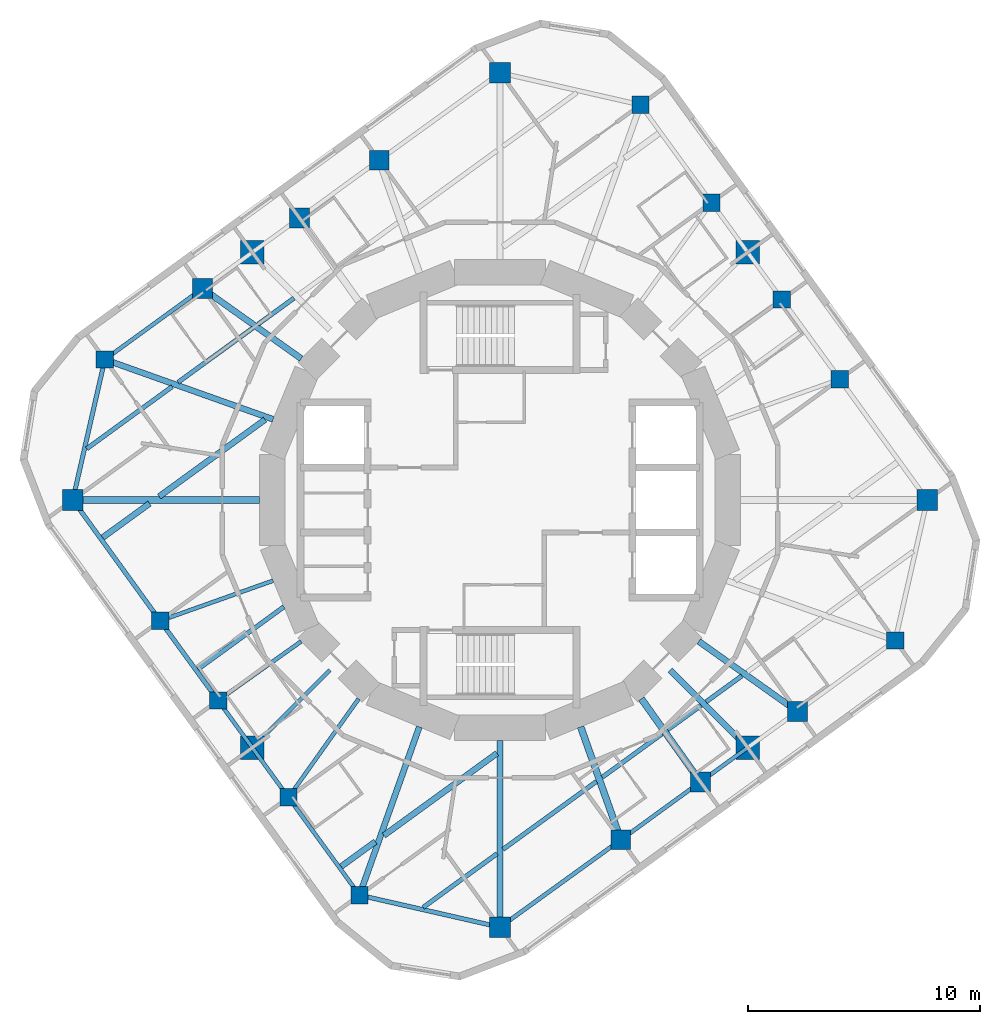
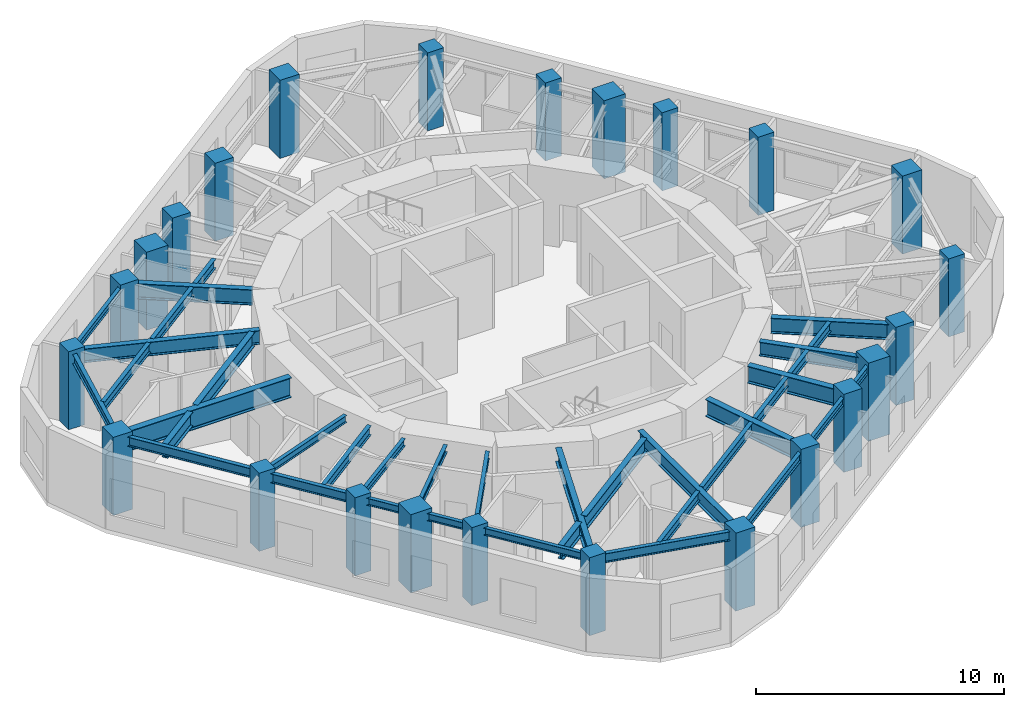
# One storey, part 1 of 9: 37 beams, 24 columns.
"""IFC4 building model written with IfcOpenShell, lengths in metres."""

from ifc_helpers import new_model, si_unit, direction, frame, origin, origin_2d, place, context, subcontext, project, spatial, rectangle, i_section, extrude, material, material_profile, profile_set, type_object, element, save


model = new_model("IFC4")

# Units and contexts
model_context = context("Model", 3, precision=1e-05, world=origin(), true_north=direction((0.0, 1.0)))
body_context = subcontext(model_context, "Body", "Model", "MODEL_VIEW")
ifc_project = project(units=[si_unit("LENGTHUNIT", "METRE"), si_unit("AREAUNIT", "SQUARE_METRE"), si_unit("VOLUMEUNIT", "CUBIC_METRE"), si_unit("PLANEANGLEUNIT", "RADIAN"), si_unit("MASSUNIT", "GRAM", prefix="KILO")], contexts=[model_context])

# Site, building, storey
site_placement = place(None, origin())
site = spatial("IfcSite", under=ifc_project, at=site_placement, CompositionType="ELEMENT")
building_placement = place(site_placement, origin())
building = spatial("IfcBuilding", under=site, at=building_placement, Name="Nakasero Lantern House", CompositionType="ELEMENT")
storey_placement = place(building_placement, frame((0.0, 0.0, 267.60009765625)))
storey = spatial("IfcBuildingStorey", under=building, at=storey_placement, Name="L65", CompositionType="ELEMENT", Elevation=267.60009765625)

# Columns
ifc_material_1 = material(Name="Concrete C40/50", Category="concrete")
ifc_material_profile_1 = material_profile(ifc_material_1, rectangle(XDim=1.0, YDim=1.0, at=origin_2d()), Name="RC 1000x1000")
ifc_profile_set_1 = profile_set([ifc_material_profile_1], Name="Concrete C40/50")
column_type_1 = type_object("IfcColumnType", Name="Mega column RC 1000x1000 C40/50", PredefinedType="COLUMN", material=ifc_profile_set_1)
for number, where, z_axis, x_axis, name in (
    (1, (10.667236328125, 10.667236328125, 0.0), (0.0, 0.0, 1.0), (1.0, 0.0, 0.0), "Column B7-C06 L65"),
    (2, (-10.667236328125, 10.667236328125, 0.0), (0.0, 0.0, 1.0), (1.0, 0.0, 0.0), "Column B7-C12 L65"),
    (3, (-10.667236328125, -10.667236328125, 0.0), (0.0, 0.0, 1.0), (1.0, 0.0, 0.0), "Column B7-C18 L65"),
    (4, (10.667236328125, -10.667236328125, 0.0), (0.0, 0.0, 1.0), (1.0, 0.0, 0.0), "Column B7-C24 L65"),
):
    element("IfcColumn", number, at=place(storey_placement, frame(where, z_axis=z_axis, x_axis=x_axis)), inside=storey, type_object=column_type_1, Name=name, PredefinedType="COLUMN", context=body_context, shape_type="SweptSolid", body=[
        extrude(rectangle(XDim=1.0, YDim=1.0, at=origin_2d()), origin(), (0.0, 0.0, 1.0), 3.849853515625),
    ])
ifc_material_2 = material(Name="Concrete C40/50", Category="concrete")
ifc_material_profile_2 = material_profile(ifc_material_2, rectangle(XDim=0.75, YDim=0.75, at=origin_2d()), Name="RC 750x750")
ifc_profile_set_2 = profile_set([ifc_material_profile_2], Name="Concrete C40/50")
column_type_2 = type_object("IfcColumnType", Name="Ring column RC 750x750 C40/50", PredefinedType="COLUMN", material=ifc_profile_set_2)
for number, where, z_axis, x_axis, name in (
    (5, (17.02001953125, -6.051513671875, 0.0), (0.0, 0.0, 1.0), (1.0, 0.0, 0.0), "Column B7-C02 L65"),
    (6, (14.636474609375, 5.2041015625, 0.0), (0.0, 0.0, 1.0), (1.0, 0.0, 0.0), "Column B7-C04 L65"),
    (7, (12.1435546875, 8.63525390625, 0.0), (0.0, 0.0, 1.0), (1.0, 0.0, 0.0), "Column B7-C05 L65"),
    (8, (9.10986328125, 12.810791015625, 0.0), (0.0, 0.0, 1.0), (1.0, 0.0, 0.0), "Column B7-C07 L65"),
    (9, (6.051513671875, 17.02001953125, 0.0), (0.0, 0.0, 1.0), (1.0, 0.0, 0.0), "Column B7-C08 L65"),
    (10, (-17.02001953125, 6.051513671875, 0.0), (0.0, 0.0, 1.0), (1.0, 0.0, 0.0), "Column B7-C14 L65"),
    (11, (-14.636474609375, -5.2041015625, 0.0), (0.0, 0.0, 1.0), (1.0, 0.0, 0.0), "Column B7-C16 L65"),
    (12, (-12.1435546875, -8.63525390625, 0.0), (0.0, 0.0, 1.0), (1.0, 0.0, 0.0), "Column B7-C17 L65"),
    (13, (-9.10986328125, -12.810791015625, 0.0), (0.0, 0.0, 1.0), (1.0, 0.0, 0.0), "Column B7-C19 L65"),
    (14, (-6.051513671875, -17.02001953125, 0.0), (0.0, 0.0, 1.0), (1.0, 0.0, 0.0), "Column B7-C20 L65"),
):
    element("IfcColumn", number, at=place(storey_placement, frame(where, z_axis=z_axis, x_axis=x_axis)), inside=storey, type_object=column_type_2, Name=name, PredefinedType="COLUMN", context=body_context, shape_type="SweptSolid", body=[
        extrude(rectangle(XDim=0.75, YDim=0.75, at=origin_2d()), origin(), (0.0, 0.0, 1.0), 3.849853515625),
    ])
ifc_material_3 = material(Name="Concrete C40/50", Category="concrete")
ifc_material_profile_3 = material_profile(ifc_material_3, rectangle(XDim=0.85009765625, YDim=0.85009765625, at=origin_2d()), Name="RC 850x850")
ifc_profile_set_3 = profile_set([ifc_material_profile_3], Name="Concrete C40/50")
column_type_3 = type_object("IfcColumnType", Name="Ring column RC 850x850 C40/50", PredefinedType="COLUMN", material=ifc_profile_set_3)
for number, where, z_axis, x_axis, name in (
    (15, (12.810791015625, -9.10986328125, 0.0), (0.0, 0.0, 1.0), (1.0, 0.0, 0.0), "Column B7-C01 L65"),
    (16, (-5.2041015625, 14.636474609375, 0.0), (0.0, 0.0, 1.0), (1.0, 0.0, 0.0), "Column B7-C10 L65"),
    (17, (-8.63525390625, 12.1435546875, 0.0), (0.0, 0.0, 1.0), (1.0, 0.0, 0.0), "Column B7-C11 L65"),
    (18, (-12.810791015625, 9.10986328125, 0.0), (0.0, 0.0, 1.0), (1.0, 0.0, 0.0), "Column B7-C13 L65"),
    (19, (5.2041015625, -14.636474609375, 0.0), (0.0, 0.0, 1.0), (1.0, 0.0, 0.0), "Column B7-C22 L65"),
    (20, (8.63525390625, -12.1435546875, 0.0), (0.0, 0.0, 1.0), (1.0, 0.0, 0.0), "Column B7-C23 L65"),
):
    element("IfcColumn", number, at=place(storey_placement, frame(where, z_axis=z_axis, x_axis=x_axis)), inside=storey, type_object=column_type_3, Name=name, PredefinedType="COLUMN", context=body_context, shape_type="SweptSolid", body=[
        extrude(rectangle(XDim=0.85009765625, YDim=0.85009765625, at=origin_2d()), origin(), (0.0, 0.0, 1.0), 3.849853515625),
    ])
ifc_material_4 = material(Name="Concrete C40/50", Category="concrete")
ifc_material_profile_4 = material_profile(ifc_material_4, rectangle(XDim=0.89990234375, YDim=0.89990234375, at=origin_2d()), Name="RC 900x900")
ifc_profile_set_4 = profile_set([ifc_material_profile_4], Name="Concrete C40/50")
column_type_4 = type_object("IfcColumnType", Name="Ring column RC 900x900 C40/50", PredefinedType="COLUMN", material=ifc_profile_set_4)
for number, where, z_axis, x_axis, name in (
    (21, (18.39990234375, 0.0, 0.0), (0.0, 0.0, 1.0), (1.0, 0.0, 0.0), "Column B7-C03 L65"),
    (22, (0.0, 18.39990234375, 0.0), (0.0, 0.0, 1.0), (1.0, 0.0, 0.0), "Column B7-C09 L65"),
    (23, (-18.39990234375, 0.0, 0.0), (0.0, 0.0, 1.0), (1.0, 0.0, 0.0), "Column B7-C15 L65"),
    (24, (0.0, -18.39990234375, 0.0), (0.0, 0.0, 1.0), (1.0, 0.0, 0.0), "Column B7-C21 L65"),
):
    element("IfcColumn", number, at=place(storey_placement, frame(where, z_axis=z_axis, x_axis=x_axis)), inside=storey, type_object=column_type_4, Name=name, PredefinedType="COLUMN", context=body_context, shape_type="SweptSolid", body=[
        extrude(rectangle(XDim=0.89990234375, YDim=0.89990234375, at=origin_2d()), origin(), (0.0, 0.0, 1.0), 3.849853515625),
    ])

# Beams
ifc_material_5 = material(Name="Steel S355", Category="steel")
ifc_material_profile_5 = material_profile(ifc_material_5, i_section(OverallWidth=0.19140625, OverallDepth=0.4599609375, WebThickness=0.010009765625, FlangeThickness=0.01611328125, FilletRadius=0.01025390625, at=origin_2d()), Name="UB 457x191x82")
ifc_profile_set_5 = profile_set([ifc_material_profile_5], Name="Steel S355")
beam_type_1 = type_object("IfcBeamType", Name="Infill beam UB 457x191x82", PredefinedType="JOIST", material=ifc_profile_set_5)
beam_1_placement = place(storey_placement, frame((-3.311279296875, -17.547607421875, 3.419921875), z_axis=(0.809028442836, 0.587769494515, 0.0), x_axis=(-0.587769494515, 0.809028442836, 0.0)))
element("IfcBeam", 25, at=beam_1_placement, inside=storey, type_object=beam_type_1, Name="Infill beam L66 03.1", PredefinedType="JOIST", context=body_context, shape_type="SweptSolid", body=[
    extrude(i_section(OverallWidth=0.19140625, OverallDepth=0.4599609375, WebThickness=0.010009765625, FlangeThickness=0.01611328125, FilletRadius=0.01025390625, at=origin_2d()), origin(), (0.0, 0.0, 1.0), 3.934814453125),
])
beam_2_placement = place(storey_placement, frame((0.1279296875, -15.048828125, 3.419921875), z_axis=(0.809018056479, 0.587783790428, 0.0), x_axis=(-0.587783790428, 0.809018056479, 0.0)))
element("IfcBeam", 26, at=beam_2_placement, inside=storey, type_object=beam_type_1, Name="Infill beam L66 03.2", PredefinedType="JOIST", context=body_context, shape_type="SweptSolid", body=[
    extrude(i_section(OverallWidth=0.19140625, OverallDepth=0.4599609375, WebThickness=0.010009765625, FlangeThickness=0.01611328125, FilletRadius=0.01025390625, at=origin_2d()), origin(), (0.0, 0.0, 1.0), 4.97802734375),
])
beam_3_placement = place(storey_placement, frame((4.40185546875, -11.943603515625, 3.419921875), z_axis=(0.809014147131, 0.587789171167, 0.0), x_axis=(-0.587789171167, 0.809014147131, 0.0)))
element("IfcBeam", 27, at=beam_3_placement, inside=storey, type_object=beam_type_1, Name="Infill beam L66 03.3", PredefinedType="JOIST", context=body_context, shape_type="SweptSolid", body=[
    extrude(i_section(OverallWidth=0.19140625, OverallDepth=0.4599609375, WebThickness=0.010009765625, FlangeThickness=0.01611328125, FilletRadius=0.01025390625, at=origin_2d()), origin(), (0.0, 0.0, 1.0), 3.188232421875),
])
beam_4_placement = place(storey_placement, frame((7.2177734375, -9.897705078125, 3.419921875), z_axis=(0.809060510352, 0.587725353025, 0.0), x_axis=(-0.587725353025, 0.809060510352, 0.0)))
element("IfcBeam", 28, at=beam_4_placement, inside=storey, type_object=beam_type_1, Name="Infill beam L66 03.4", PredefinedType="JOIST", context=body_context, shape_type="SweptSolid", body=[
    extrude(i_section(OverallWidth=0.19140625, OverallDepth=0.4599609375, WebThickness=0.010009765625, FlangeThickness=0.01611328125, FilletRadius=0.01025390625, at=origin_2d()), origin(), (0.0, 0.0, 1.0), 1.7890625),
])
beam_5_placement = place(storey_placement, frame((8.874755859375, -8.69384765625, 3.419921875), z_axis=(0.809012638294, 0.587791247877, 0.0), x_axis=(-0.587791247877, 0.809012638294, 0.0)))
element("IfcBeam", 29, at=beam_5_placement, inside=storey, type_object=beam_type_1, Name="Infill beam L66 03.5", PredefinedType="JOIST", context=body_context, shape_type="SweptSolid", body=[
    extrude(i_section(OverallWidth=0.19140625, OverallDepth=0.4599609375, WebThickness=0.010009765625, FlangeThickness=0.01611328125, FilletRadius=0.01025390625, at=origin_2d()), origin(), (0.0, 0.0, 1.0), 1.908203125),
])
beam_6_placement = place(storey_placement, frame((-13.006103515625, -7.286376953125, 3.419921875), z_axis=(0.809017640959, 0.587784362344, 0.0), x_axis=(-0.587784362344, 0.809017640959, 0.0)))
element("IfcBeam", 30, at=beam_6_placement, inside=storey, type_object=beam_type_1, Name="Infill beam L66 07.1", PredefinedType="JOIST", context=body_context, shape_type="SweptSolid", body=[
    extrude(i_section(OverallWidth=0.19140625, OverallDepth=0.4599609375, WebThickness=0.010009765625, FlangeThickness=0.01611328125, FilletRadius=0.01025390625, at=origin_2d()), origin(), (0.0, 0.0, 1.0), 4.572998046875),
])
beam_7_placement = place(storey_placement, frame((-17.798583984375, 2.21044921875, 3.419921875), z_axis=(0.80901210161, 0.587791986546, 0.0), x_axis=(-0.587791986546, 0.80901210161, 0.0)))
element("IfcBeam", 31, at=beam_7_placement, inside=storey, type_object=beam_type_1, Name="Infill beam L66 10.1", PredefinedType="JOIST", context=body_context, shape_type="SweptSolid", body=[
    extrude(i_section(OverallWidth=0.19140625, OverallDepth=0.4599609375, WebThickness=0.010009765625, FlangeThickness=0.01611328125, FilletRadius=0.01025390625, at=origin_2d()), origin(), (0.0, 0.0, 1.0), 4.55029296875),
])
beam_8_placement = place(storey_placement, frame((-13.86865234375, 5.065673828125, 3.419921875), z_axis=(0.809006350712, 0.587799901759, 0.0), x_axis=(-0.587799901759, 0.809006350712, 0.0)))
element("IfcBeam", 32, at=beam_8_placement, inside=storey, type_object=beam_type_1, Name="Infill beam L66 10.2", PredefinedType="JOIST", context=body_context, shape_type="SweptSolid", body=[
    extrude(i_section(OverallWidth=0.19140625, OverallDepth=0.4599609375, WebThickness=0.010009765625, FlangeThickness=0.01611328125, FilletRadius=0.01025390625, at=origin_2d()), origin(), (0.0, 0.0, 1.0), 3.983154296875),
])
beam_9_placement = place(storey_placement, frame((-10.41845703125, 7.572265625, 3.419921875), z_axis=(0.809012638294, 0.587791247877, 0.0), x_axis=(-0.587791247877, 0.809012638294, 0.0)))
element("IfcBeam", 33, at=beam_9_placement, inside=storey, type_object=beam_type_1, Name="Infill beam L66 10.3", PredefinedType="JOIST", context=body_context, shape_type="SweptSolid", body=[
    extrude(i_section(OverallWidth=0.19140625, OverallDepth=0.4599609375, WebThickness=0.010009765625, FlangeThickness=0.01611328125, FilletRadius=0.01025390625, at=origin_2d()), origin(), (0.0, 0.0, 1.0), 1.908203125),
])
ifc_material_6 = material(Name="Steel S355", Category="steel")
ifc_material_profile_6 = material_profile(ifc_material_6, i_section(OverallWidth=0.255859375, OverallDepth=0.69287109375, WebThickness=0.014404296875, FlangeThickness=0.023681640625, FilletRadius=0.01513671875, at=origin_2d()), Name="UB 686x254x170")
ifc_profile_set_6 = profile_set([ifc_material_profile_6], Name="Steel S355")
beam_type_2 = type_object("IfcBeamType", Name="Infill beam UB 686x254x170", PredefinedType="JOIST", material=ifc_profile_set_6)
beam_10_placement = place(storey_placement, frame((-6.841796875, -15.786376953125, 3.303466796875), z_axis=(0.809025740158, 0.587773214566, 0.0), x_axis=(-0.587773214566, 0.809025740158, 0.0)))
element("IfcBeam", 34, at=beam_10_placement, inside=storey, type_object=beam_type_2, Name="Infill beam L66 04.1", PredefinedType="JOIST", context=body_context, shape_type="SweptSolid", body=[
    extrude(i_section(OverallWidth=0.255859375, OverallDepth=0.69287109375, WebThickness=0.014404296875, FlangeThickness=0.023681640625, FilletRadius=0.01513671875, at=origin_2d()), origin(), (0.0, 0.0, 1.0), 1.82177734375),
])
beam_11_placement = place(storey_placement, frame((-5.001953125, -14.44970703125, 3.303466796875), z_axis=(0.809011117524, 0.587793340998, 0.0), x_axis=(-0.587793340998, 0.809011117524, 0.0)))
element("IfcBeam", 35, at=beam_11_placement, inside=storey, type_object=beam_type_2, Name="Infill beam L66 04.2", PredefinedType="JOIST", context=body_context, shape_type="SweptSolid", body=[
    extrude(i_section(OverallWidth=0.255859375, OverallDepth=0.69287109375, WebThickness=0.014404296875, FlangeThickness=0.023681640625, FilletRadius=0.01513671875, at=origin_2d()), origin(), (0.0, 0.0, 1.0), 6.024658203125),
])
beam_12_placement = place(storey_placement, frame((-17.1123046875, -1.6171875, 3.303466796875), z_axis=(0.809015124384, 0.587787826106, 0.0), x_axis=(-0.587787826106, 0.809015124384, 0.0)))
element("IfcBeam", 36, at=beam_12_placement, inside=storey, type_object=beam_type_2, Name="Infill beam L66 09.1", PredefinedType="JOIST", context=body_context, shape_type="SweptSolid", body=[
    extrude(i_section(OverallWidth=0.255859375, OverallDepth=0.69287109375, WebThickness=0.014404296875, FlangeThickness=0.023681640625, FilletRadius=0.01513671875, at=origin_2d()), origin(), (0.0, 0.0, 1.0), 2.496337890625),
])
beam_13_placement = place(storey_placement, frame((-14.679931640625, 0.14990234375, 3.303466796875), z_axis=(0.809013172462, 0.587790512669, 0.0), x_axis=(-0.587790512669, 0.809013172462, 0.0)))
element("IfcBeam", 37, at=beam_13_placement, inside=storey, type_object=beam_type_2, Name="Infill beam L66 09.2", PredefinedType="JOIST", context=body_context, shape_type="SweptSolid", body=[
    extrude(i_section(OverallWidth=0.255859375, OverallDepth=0.69287109375, WebThickness=0.014404296875, FlangeThickness=0.023681640625, FilletRadius=0.01513671875, at=origin_2d()), origin(), (0.0, 0.0, 1.0), 5.63720703125),
])
ifc_material_7 = material(Name="Steel S355", Category="steel")
ifc_material_profile_7 = material_profile(ifc_material_7, i_section(OverallWidth=0.300048828125, OverallDepth=0.97998046875, WebThickness=0.0166015625, FlangeThickness=0.02587890625, FilletRadius=0.030029296875, at=origin_2d()), Name="UB 1016x305x249")
ifc_profile_set_7 = profile_set([ifc_material_profile_7], Name="Steel S355")
beam_type_3 = type_object("IfcBeamType", Name="Primary beam UB 1016x305x249, span 6 to 9 m", PredefinedType="BEAM", material=ifc_profile_set_7)
beam_14_placement = place(storey_placement, frame((-18.39990234375, 0.0, 3.159912109375), z_axis=(1.0, 0.0, 0.0), x_axis=(0.0, 1.0, 0.0)))
element("IfcBeam", 38, at=beam_14_placement, inside=storey, type_object=beam_type_3, Name="Primary beam L66 B7-C15", PredefinedType="BEAM", context=body_context, shape_type="SweptSolid", body=[
    extrude(i_section(OverallWidth=0.300048828125, OverallDepth=0.97998046875, WebThickness=0.0166015625, FlangeThickness=0.02587890625, FilletRadius=0.030029296875, at=origin_2d()), origin(), (0.0, 0.0, 1.0), 8.0419921875),
])
ifc_material_8 = material(Name="Steel S355", Category="steel")
ifc_material_profile_8 = material_profile(ifc_material_8, i_section(OverallWidth=0.17138671875, OverallDepth=0.35498046875, WebThickness=0.00732421875, FlangeThickness=0.011474609375, FilletRadius=0.01025390625, at=origin_2d()), Name="UB 356x171x51")
ifc_profile_set_8 = profile_set([ifc_material_profile_8], Name="Steel S355")
beam_type_4 = type_object("IfcBeamType", Name="Primary beam UB 356x171x51, span to 6 m", PredefinedType="BEAM", material=ifc_profile_set_8)
beam_15_placement = place(storey_placement, frame((-14.636474609375, -5.2041015625, 3.472412109375), z_axis=(0.942221324153, 0.3349910093, 0.0), x_axis=(-0.3349910093, 0.942221324153, 0.0)))
element("IfcBeam", 39, at=beam_15_placement, inside=storey, type_object=beam_type_4, Name="Primary beam L66 B7-C16", PredefinedType="BEAM", context=body_context, shape_type="SweptSolid", body=[
    extrude(i_section(OverallWidth=0.17138671875, OverallDepth=0.35498046875, WebThickness=0.00732421875, FlangeThickness=0.011474609375, FilletRadius=0.01025390625, at=origin_2d()), origin(), (0.0, 0.0, 1.0), 5.162841796875),
])
beam_16_placement = place(storey_placement, frame((-12.1435546875, -8.63525390625, 3.472412109375), z_axis=(0.814988544116, 0.579477068537, 0.0), x_axis=(-0.579477068537, 0.814988544116, 0.0)))
element("IfcBeam", 40, at=beam_16_placement, inside=storey, type_object=beam_type_4, Name="Primary beam L66 B7-C17", PredefinedType="BEAM", context=body_context, shape_type="SweptSolid", body=[
    extrude(i_section(OverallWidth=0.17138671875, OverallDepth=0.35498046875, WebThickness=0.00732421875, FlangeThickness=0.011474609375, FilletRadius=0.01025390625, at=origin_2d()), origin(), (0.0, 0.0, 1.0), 4.396484375),
])
beam_17_placement = place(storey_placement, frame((-10.667236328125, -10.667236328125, 3.472412109375), z_axis=(0.707106781187, 0.707106781187, 0.0), x_axis=(-0.707106781187, 0.707106781187, 0.0)))
element("IfcBeam", 41, at=beam_17_placement, inside=storey, type_object=beam_type_4, Name="Primary beam L66 B7-C18", PredefinedType="BEAM", context=body_context, shape_type="SweptSolid", body=[
    extrude(i_section(OverallWidth=0.17138671875, OverallDepth=0.35498046875, WebThickness=0.00732421875, FlangeThickness=0.011474609375, FilletRadius=0.01025390625, at=origin_2d()), origin(), (0.0, 0.0, 1.0), 4.727783203125),
])
beam_18_placement = place(storey_placement, frame((-9.10986328125, -12.810791015625, 3.472412109375), z_axis=(0.579500985986, 0.814971537688, 0.0), x_axis=(-0.814971537688, 0.579500985986, 0.0)))
element("IfcBeam", 42, at=beam_18_placement, inside=storey, type_object=beam_type_4, Name="Primary beam L66 B7-C19", PredefinedType="BEAM", context=body_context, shape_type="SweptSolid", body=[
    extrude(i_section(OverallWidth=0.17138671875, OverallDepth=0.35498046875, WebThickness=0.00732421875, FlangeThickness=0.011474609375, FilletRadius=0.01025390625, at=origin_2d()), origin(), (0.0, 0.0, 1.0), 5.215087890625),
])
ifc_material_9 = material(Name="Steel S355", Category="steel")
ifc_material_profile_9 = material_profile(ifc_material_9, i_section(OverallWidth=0.253662109375, OverallDepth=0.68359375, WebThickness=0.012451171875, FlangeThickness=0.01904296875, FilletRadius=0.01513671875, at=origin_2d()), Name="UB 686x254x140")
ifc_profile_set_9 = profile_set([ifc_material_profile_9], Name="Steel S355")
beam_type_5 = type_object("IfcBeamType", Name="Primary beam UB 686x254x140, span 6 to 9 m", PredefinedType="BEAM", material=ifc_profile_set_9)
beam_19_placement = place(storey_placement, frame((-17.02001953125, 6.051513671875, 3.30810546875), z_axis=(0.942222036561, -0.334989005521, 0.0), x_axis=(0.334989005521, 0.942222036561, 0.0)))
element("IfcBeam", 43, at=beam_19_placement, inside=storey, type_object=beam_type_5, Name="Primary beam L66 B7-C14", PredefinedType="BEAM", context=body_context, shape_type="SweptSolid", body=[
    extrude(i_section(OverallWidth=0.253662109375, OverallDepth=0.68359375, WebThickness=0.012451171875, FlangeThickness=0.01904296875, FilletRadius=0.01513671875, at=origin_2d()), origin(), (0.0, 0.0, 1.0), 7.6923828125),
])
ifc_material_10 = material(Name="Steel S355", Category="steel")
ifc_material_profile_10 = material_profile(ifc_material_10, i_section(OverallWidth=0.255859375, OverallDepth=0.69287109375, WebThickness=0.014404296875, FlangeThickness=0.023681640625, FilletRadius=0.01513671875, at=origin_2d()), Name="UB 686x254x170")
ifc_profile_set_10 = profile_set([ifc_material_profile_10], Name="Steel S355")
beam_type_6 = type_object("IfcBeamType", Name="Primary beam UB 686x254x170, span 6 to 9 m", PredefinedType="BEAM", material=ifc_profile_set_10)
beam_20_placement = place(storey_placement, frame((-6.051513671875, -17.02001953125, 3.303466796875), z_axis=(0.334989005521, 0.942222036561, 0.0), x_axis=(-0.942222036561, 0.334989005521, 0.0)))
element("IfcBeam", 44, at=beam_20_placement, inside=storey, type_object=beam_type_6, Name="Primary beam L66 B7-C20", PredefinedType="BEAM", context=body_context, shape_type="SweptSolid", body=[
    extrude(i_section(OverallWidth=0.255859375, OverallDepth=0.69287109375, WebThickness=0.014404296875, FlangeThickness=0.023681640625, FilletRadius=0.01513671875, at=origin_2d()), origin(), (0.0, 0.0, 1.0), 7.6923828125),
])
beam_21_placement = place(storey_placement, frame((0.0, -18.39990234375, 3.303466796875), z_axis=(0.0, 1.0, 0.0), x_axis=(-1.0, 0.0, 0.0)))
element("IfcBeam", 45, at=beam_21_placement, inside=storey, type_object=beam_type_6, Name="Primary beam L66 B7-C21", PredefinedType="BEAM", context=body_context, shape_type="SweptSolid", body=[
    extrude(i_section(OverallWidth=0.255859375, OverallDepth=0.69287109375, WebThickness=0.014404296875, FlangeThickness=0.023681640625, FilletRadius=0.01513671875, at=origin_2d()), origin(), (0.0, 0.0, 1.0), 8.0419921875),
])
ifc_material_11 = material(Name="Steel S355", Category="steel")
ifc_material_profile_11 = material_profile(ifc_material_11, i_section(OverallWidth=0.255859375, OverallDepth=0.69287109375, WebThickness=0.014404296875, FlangeThickness=0.023681640625, FilletRadius=0.01513671875, at=origin_2d()), Name="UB 686x254x170")
ifc_profile_set_11 = profile_set([ifc_material_profile_11], Name="Steel S355")
beam_type_7 = type_object("IfcBeamType", Name="Primary beam UB 686x254x170, span to 6 m", PredefinedType="BEAM", material=ifc_profile_set_11)
beam_22_placement = place(storey_placement, frame((10.667236328125, -10.667236328125, 3.303466796875), z_axis=(-0.707106781187, 0.707106781187, 0.0), x_axis=(-0.707106781187, -0.707106781187, 0.0)))
element("IfcBeam", 46, at=beam_22_placement, inside=storey, type_object=beam_type_7, Name="Primary beam L66 B7-C24", PredefinedType="BEAM", context=body_context, shape_type="SweptSolid", body=[
    extrude(i_section(OverallWidth=0.255859375, OverallDepth=0.69287109375, WebThickness=0.014404296875, FlangeThickness=0.023681640625, FilletRadius=0.01513671875, at=origin_2d()), origin(), (0.0, 0.0, 1.0), 4.727783203125),
])
ifc_material_12 = material(Name="Steel S355", Category="steel")
ifc_material_profile_12 = material_profile(ifc_material_12, i_section(OverallWidth=0.2666015625, OverallDepth=0.76220703125, WebThickness=0.014404296875, FlangeThickness=0.021484375, FilletRadius=0.0166015625, at=origin_2d()), Name="UB 762x267x173")
ifc_profile_set_12 = profile_set([ifc_material_profile_12], Name="Steel S355")
beam_type_8 = type_object("IfcBeamType", Name="Primary beam UB 762x267x173, span to 6 m", PredefinedType="BEAM", material=ifc_profile_set_12)
for number, where, z_axis, x_axis, name in (
    (47, (12.810791015625, -9.10986328125, 3.268798828125), (-0.814971537688, 0.579500985986, 0.0), (-0.579500985986, -0.814971537688, 0.0), "Primary beam L66 B7-C01"),
    (48, (-12.810791015625, 9.10986328125, 3.268798828125), (0.814971537688, -0.579500985986, 0.0), (0.579500985986, 0.814971537688, 0.0), "Primary beam L66 B7-C13"),
):
    element("IfcBeam", number, at=place(storey_placement, frame(where, z_axis=z_axis, x_axis=x_axis)), inside=storey, type_object=beam_type_8, Name=name, PredefinedType="BEAM", context=body_context, shape_type="SweptSolid", body=[
        extrude(i_section(OverallWidth=0.2666015625, OverallDepth=0.76220703125, WebThickness=0.014404296875, FlangeThickness=0.021484375, FilletRadius=0.0166015625, at=origin_2d()), origin(), (0.0, 0.0, 1.0), 5.215087890625),
    ])
ifc_material_13 = material(Name="Steel S355", Category="steel")
ifc_material_profile_13 = material_profile(ifc_material_13, i_section(OverallWidth=0.29248046875, OverallDepth=0.8408203125, WebThickness=0.0146484375, FlangeThickness=0.02685546875, FilletRadius=0.017822265625, at=origin_2d()), Name="UB 838x292x194")
ifc_profile_set_13 = profile_set([ifc_material_profile_13], Name="Steel S355")
beam_type_9 = type_object("IfcBeamType", Name="Primary beam UB 838x292x194, span to 6 m", PredefinedType="BEAM", material=ifc_profile_set_13)
beam_23_placement = place(storey_placement, frame((5.2041015625, -14.636474609375, 3.2294921875), z_axis=(-0.3349910093, 0.942221324153, 0.0), x_axis=(-0.942221324153, -0.3349910093, 0.0)))
element("IfcBeam", 49, at=beam_23_placement, inside=storey, type_object=beam_type_9, Name="Primary beam L66 B7-C22", PredefinedType="BEAM", context=body_context, shape_type="SweptSolid", body=[
    extrude(i_section(OverallWidth=0.29248046875, OverallDepth=0.8408203125, WebThickness=0.0146484375, FlangeThickness=0.02685546875, FilletRadius=0.017822265625, at=origin_2d()), origin(), (0.0, 0.0, 1.0), 5.162841796875),
])
beam_24_placement = place(storey_placement, frame((8.63525390625, -12.1435546875, 3.2294921875), z_axis=(-0.579477068537, 0.814988544116, 0.0), x_axis=(-0.814988544116, -0.579477068537, 0.0)))
element("IfcBeam", 50, at=beam_24_placement, inside=storey, type_object=beam_type_9, Name="Primary beam L66 B7-C23", PredefinedType="BEAM", context=body_context, shape_type="SweptSolid", body=[
    extrude(i_section(OverallWidth=0.29248046875, OverallDepth=0.8408203125, WebThickness=0.0146484375, FlangeThickness=0.02685546875, FilletRadius=0.017822265625, at=origin_2d()), origin(), (0.0, 0.0, 1.0), 4.396484375),
])
ifc_material_14 = material(Name="Steel S355", Category="steel")
ifc_material_profile_14 = material_profile(ifc_material_14, i_section(OverallWidth=0.17138671875, OverallDepth=0.35498046875, WebThickness=0.00732421875, FlangeThickness=0.011474609375, FilletRadius=0.01025390625, at=origin_2d()), Name="UB 356x171x51")
ifc_profile_set_14 = profile_set([ifc_material_profile_14], Name="Steel S355")
beam_type_10 = type_object("IfcBeamType", Name="Ring beam UB 356x171x51", PredefinedType="BEAM", material=ifc_profile_set_14)
beam_25_placement = place(storey_placement, frame((-12.810791015625, 9.10986328125, 3.472412109375), z_axis=(-0.809001814948, -0.587806144414, 0.0), x_axis=(0.587806144414, -0.809001814948, 0.0)))
element("IfcBeam", 51, at=beam_25_placement, inside=storey, type_object=beam_type_10, Name="Ring beam L66 B7-C13", PredefinedType="BEAM", context=body_context, shape_type="SweptSolid", body=[
    extrude(i_section(OverallWidth=0.17138671875, OverallDepth=0.35498046875, WebThickness=0.00732421875, FlangeThickness=0.011474609375, FilletRadius=0.01025390625, at=origin_2d()), origin(), (0.0, 0.0, 1.0), 5.202880859375),
])
beam_26_placement = place(storey_placement, frame((-12.1435546875, -8.63525390625, 3.472412109375), z_axis=(0.58778439593, -0.809017616558, 0.0), x_axis=(0.809017616558, 0.58778439593, 0.0)))
element("IfcBeam", 52, at=beam_26_placement, inside=storey, type_object=beam_type_10, Name="Ring beam L66 B7-C17", PredefinedType="BEAM", context=body_context, shape_type="SweptSolid", body=[
    extrude(i_section(OverallWidth=0.17138671875, OverallDepth=0.35498046875, WebThickness=0.00732421875, FlangeThickness=0.011474609375, FilletRadius=0.01025390625, at=origin_2d()), origin(), (0.0, 0.0, 1.0), 2.51171875),
])
beam_27_placement = place(storey_placement, frame((-10.667236328125, -10.667236328125, 3.472412109375), z_axis=(0.587782635143, -0.809018895839, 0.0), x_axis=(0.809018895839, 0.587782635143, 0.0)))
element("IfcBeam", 53, at=beam_27_placement, inside=storey, type_object=beam_type_10, Name="Ring beam L66 B7-C18", PredefinedType="BEAM", context=body_context, shape_type="SweptSolid", body=[
    extrude(i_section(OverallWidth=0.17138671875, OverallDepth=0.35498046875, WebThickness=0.00732421875, FlangeThickness=0.011474609375, FilletRadius=0.01025390625, at=origin_2d()), origin(), (0.0, 0.0, 1.0), 2.649658203125),
])
beam_28_placement = place(storey_placement, frame((-9.10986328125, -12.810791015625, 3.472412109375), z_axis=(0.587806144414, -0.809001814948, 0.0), x_axis=(0.809001814948, 0.587806144414, 0.0)))
element("IfcBeam", 54, at=beam_28_placement, inside=storey, type_object=beam_type_10, Name="Ring beam L66 B7-C19", PredefinedType="BEAM", context=body_context, shape_type="SweptSolid", body=[
    extrude(i_section(OverallWidth=0.17138671875, OverallDepth=0.35498046875, WebThickness=0.00732421875, FlangeThickness=0.011474609375, FilletRadius=0.01025390625, at=origin_2d()), origin(), (0.0, 0.0, 1.0), 5.202880859375),
])
beam_29_placement = place(storey_placement, frame((5.2041015625, -14.636474609375, 3.472412109375), z_axis=(0.809012304944, 0.587791706687, 0.0), x_axis=(-0.587791706687, 0.809012304944, 0.0)))
element("IfcBeam", 55, at=beam_29_placement, inside=storey, type_object=beam_type_10, Name="Ring beam L66 B7-C22", PredefinedType="BEAM", context=body_context, shape_type="SweptSolid", body=[
    extrude(i_section(OverallWidth=0.17138671875, OverallDepth=0.35498046875, WebThickness=0.00732421875, FlangeThickness=0.011474609375, FilletRadius=0.01025390625, at=origin_2d()), origin(), (0.0, 0.0, 1.0), 4.2412109375),
])
beam_30_placement = place(storey_placement, frame((8.63525390625, -12.1435546875, 3.472412109375), z_axis=(0.809017616558, 0.58778439593, 0.0), x_axis=(-0.58778439593, 0.809017616558, 0.0)))
element("IfcBeam", 56, at=beam_30_placement, inside=storey, type_object=beam_type_10, Name="Ring beam L66 B7-C23", PredefinedType="BEAM", context=body_context, shape_type="SweptSolid", body=[
    extrude(i_section(OverallWidth=0.17138671875, OverallDepth=0.35498046875, WebThickness=0.00732421875, FlangeThickness=0.011474609375, FilletRadius=0.01025390625, at=origin_2d()), origin(), (0.0, 0.0, 1.0), 2.51171875),
])
ifc_material_15 = material(Name="Steel S355", Category="steel")
ifc_material_profile_15 = material_profile(ifc_material_15, i_section(OverallWidth=0.177978515625, OverallDepth=0.406494140625, WebThickness=0.0078125, FlangeThickness=0.0126953125, FilletRadius=0.01025390625, at=origin_2d()), Name="UB 406x178x60")
ifc_profile_set_15 = profile_set([ifc_material_profile_15], Name="Steel S355")
beam_type_11 = type_object("IfcBeamType", Name="Ring beam UB 406x178x60", PredefinedType="BEAM", material=ifc_profile_set_15)
beam_31_placement = place(storey_placement, frame((0.0, -18.39990234375, 3.44677734375), z_axis=(0.810316200404, 0.58599287996, 0.0), x_axis=(-0.58599287996, 0.810316200404, 0.0)))
element("IfcBeam", 57, at=beam_31_placement, inside=storey, type_object=beam_type_11, Name="Ring beam L66 B7-C21", PredefinedType="BEAM", context=body_context, shape_type="SweptSolid", body=[
    extrude(i_section(OverallWidth=0.177978515625, OverallDepth=0.406494140625, WebThickness=0.0078125, FlangeThickness=0.0126953125, FilletRadius=0.01025390625, at=origin_2d()), origin(), (0.0, 0.0, 1.0), 6.42236328125),
])
ifc_material_16 = material(Name="Steel S355", Category="steel")
ifc_material_profile_16 = material_profile(ifc_material_16, i_section(OverallWidth=0.18994140625, OverallDepth=0.453369140625, WebThickness=0.008544921875, FlangeThickness=0.0126953125, FilletRadius=0.01025390625, at=origin_2d()), Name="UB 457x191x67")
ifc_profile_set_16 = profile_set([ifc_material_profile_16], Name="Steel S355")
beam_type_12 = type_object("IfcBeamType", Name="Ring beam UB 457x191x67", PredefinedType="BEAM", material=ifc_profile_set_16)
beam_32_placement = place(storey_placement, frame((-17.02001953125, 6.051513671875, 3.423095703125), z_axis=(-0.222316387753, -0.974974575944, 0.0), x_axis=(0.974974575944, -0.222316387753, 0.0)))
element("IfcBeam", 58, at=beam_32_placement, inside=storey, type_object=beam_type_12, Name="Ring beam L66 B7-C14", PredefinedType="BEAM", context=body_context, shape_type="SweptSolid", body=[
    extrude(i_section(OverallWidth=0.18994140625, OverallDepth=0.453369140625, WebThickness=0.008544921875, FlangeThickness=0.0126953125, FilletRadius=0.01025390625, at=origin_2d()), origin(), (0.0, 0.0, 1.0), 6.206787109375),
])
beam_33_placement = place(storey_placement, frame((-14.636474609375, -5.2041015625, 3.423095703125), z_axis=(0.587791706687, -0.809012304944, 0.0), x_axis=(0.809012304944, 0.587791706687, 0.0)))
element("IfcBeam", 59, at=beam_33_placement, inside=storey, type_object=beam_type_12, Name="Ring beam L66 B7-C16", PredefinedType="BEAM", context=body_context, shape_type="SweptSolid", body=[
    extrude(i_section(OverallWidth=0.18994140625, OverallDepth=0.453369140625, WebThickness=0.008544921875, FlangeThickness=0.0126953125, FilletRadius=0.01025390625, at=origin_2d()), origin(), (0.0, 0.0, 1.0), 4.2412109375),
])
beam_34_placement = place(storey_placement, frame((-6.051513671875, -17.02001953125, 3.423095703125), z_axis=(0.974974575944, -0.222316387753, 0.0), x_axis=(0.222316387753, 0.974974575944, 0.0)))
element("IfcBeam", 60, at=beam_34_placement, inside=storey, type_object=beam_type_12, Name="Ring beam L66 B7-C20", PredefinedType="BEAM", context=body_context, shape_type="SweptSolid", body=[
    extrude(i_section(OverallWidth=0.18994140625, OverallDepth=0.453369140625, WebThickness=0.008544921875, FlangeThickness=0.0126953125, FilletRadius=0.01025390625, at=origin_2d()), origin(), (0.0, 0.0, 1.0), 6.206787109375),
])
ifc_material_17 = material(Name="Steel S355", Category="steel")
ifc_material_profile_17 = material_profile(ifc_material_17, i_section(OverallWidth=0.19140625, OverallDepth=0.4599609375, WebThickness=0.010009765625, FlangeThickness=0.01611328125, FilletRadius=0.01025390625, at=origin_2d()), Name="UB 457x191x82")
ifc_profile_set_17 = profile_set([ifc_material_profile_17], Name="Steel S355")
beam_type_13 = type_object("IfcBeamType", Name="Ring beam UB 457x191x82", PredefinedType="BEAM", material=ifc_profile_set_17)
beam_35_placement = place(storey_placement, frame((-18.39990234375, 0.0, 3.419921875), z_axis=(0.58599287996, -0.810316200404, 0.0), x_axis=(0.810316200404, 0.58599287996, 0.0)))
element("IfcBeam", 61, at=beam_35_placement, inside=storey, type_object=beam_type_13, Name="Ring beam L66 B7-C15", PredefinedType="BEAM", context=body_context, shape_type="SweptSolid", body=[
    extrude(i_section(OverallWidth=0.19140625, OverallDepth=0.4599609375, WebThickness=0.010009765625, FlangeThickness=0.01611328125, FilletRadius=0.01025390625, at=origin_2d()), origin(), (0.0, 0.0, 1.0), 6.42236328125),
])

save(model, "model.ifc")
